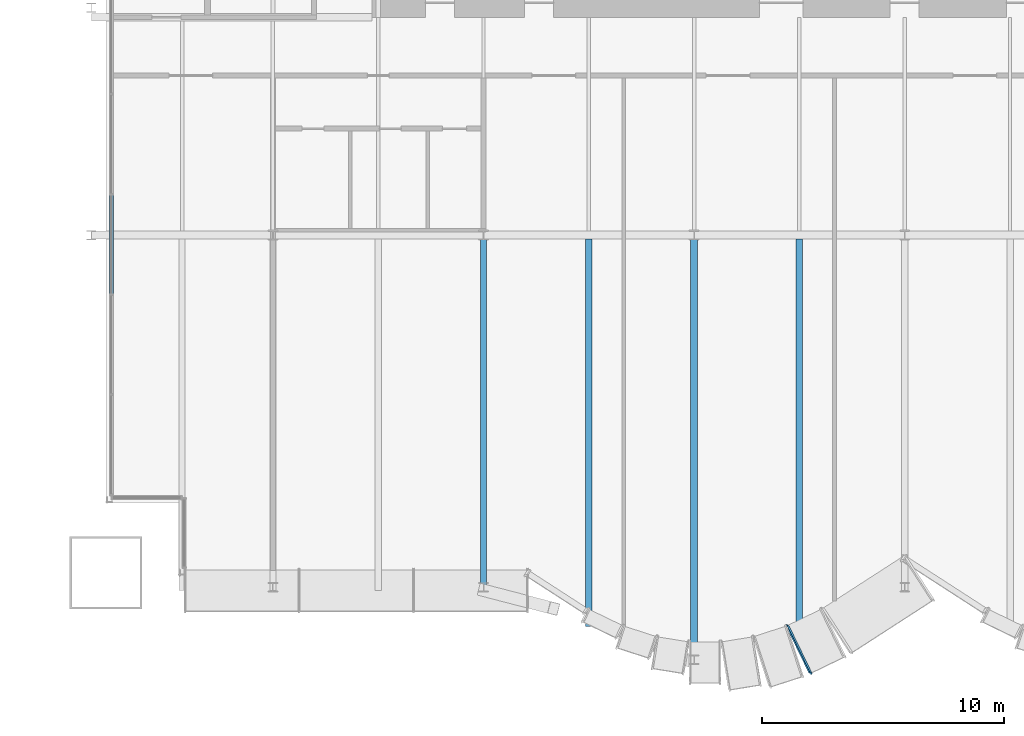
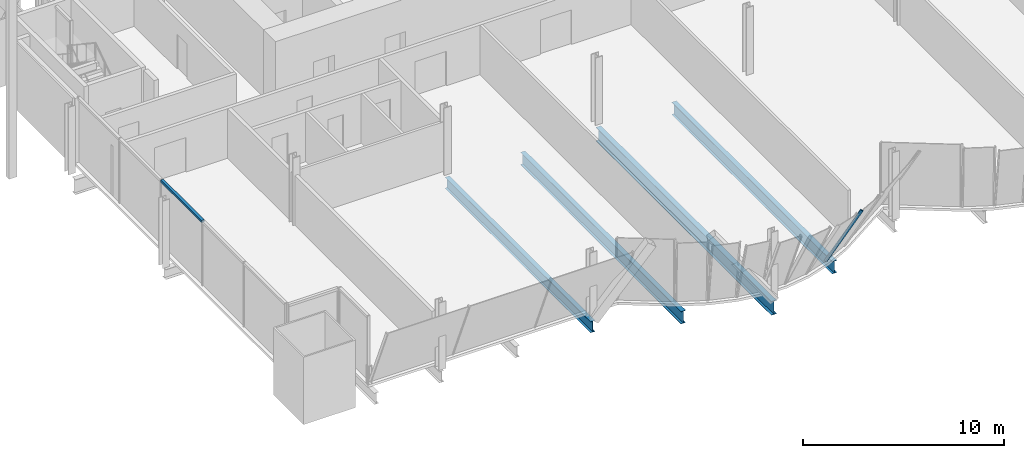
# One storey, part 5 of 22: 4 beams, 2 members, 2 elements without a shape of their own.
"""IFC4 building model written with IfcOpenShell, lengths in metres."""

from ifc_helpers import new_model, si_unit, direction, frame, origin, origin_2d, place, context, subcontext, project, spatial, rectangle, i_section, extrude, material, material_profile, profile_set, type_object, element, aggregate, save


model = new_model("IFC4")

# Units and contexts
model_context = context("Model", 3, precision=1e-05, world=origin(), true_north=direction((0.0, 1.0)))
body_context = subcontext(model_context, "Body", "Model", "MODEL_VIEW")
ifc_project = project(units=[si_unit("LENGTHUNIT", "METRE"), si_unit("AREAUNIT", "SQUARE_METRE"), si_unit("VOLUMEUNIT", "CUBIC_METRE"), si_unit("PLANEANGLEUNIT", "RADIAN"), si_unit("MASSUNIT", "GRAM", prefix="KILO")], contexts=[model_context])

# Site, building, storey
site_placement = place(None, origin())
site = spatial("IfcSite", under=ifc_project, at=site_placement, CompositionType="ELEMENT")
building_placement = place(site_placement, origin())
building = spatial("IfcBuilding", under=site, at=building_placement, Name="Bicima Exchange Tower", CompositionType="ELEMENT")
storey_placement = place(building_placement, frame((0.0, 0.0, 89.89990234375)))
storey = spatial("IfcBuildingStorey", under=building, at=storey_placement, Name="L18", CompositionType="ELEMENT", Elevation=89.89990234375)

# Curtain wall, member
ifc_material_1 = material(Name="Anodised bronze aluminium", Category="aluminium")
curtain_wall_type_1 = type_object("IfcCurtainWallType", Name="End face glass wall", PredefinedType="NOTDEFINED", material=ifc_material_1)
curtain_wall_1_placement = place(storey_placement, origin())
curtain_wall_1 = element("IfcCurtainWall", 1, at=curtain_wall_1_placement, inside=storey, type_object=curtain_wall_type_1, Name="End face glass wall L18 run 6", PredefinedType="NOTDEFINED")
ifc_material_profile_1 = material_profile(ifc_material_1, rectangle(XDim=0.159912109375, YDim=0.139892578125, at=origin_2d()))
ifc_profile_set_1 = profile_set([ifc_material_profile_1], Name="Anodised bronze aluminium")
member_type_1 = type_object("IfcMemberType", Name="End face glass wall transom 140 x 160", PredefinedType="USERDEFINED", material=ifc_profile_set_1)
member_1_placement = place(storey_placement, frame((-32.77001953125, -20.3408203125, 3.880126953125), z_axis=(0.0, -1.0, 0.0), x_axis=(1.0, 0.0, 0.0)))
member_1 = element("IfcMember", 2, at=member_1_placement, type_object=member_type_1, Name="End face glass wall transom 3.1", ObjectType="TRANSOM", PredefinedType="USERDEFINED", context=body_context, shape_type="SweptSolid", body=[
    extrude(rectangle(XDim=0.159912109375, YDim=0.139892578125, at=origin_2d()), origin(), (0.0, 0.0, 1.0), 4.080322265625),
])
aggregate(curtain_wall_1, [member_1])

# Beams
ifc_material_2 = material(Name="Steel ASTM A992 Gr 50", Category="steel")
ifc_material_profile_2 = material_profile(ifc_material_2, i_section(OverallWidth=0.25390625, OverallDepth=0.67822265625, WebThickness=0.01171875, FlangeThickness=0.016357421875, at=origin_2d()))
ifc_profile_set_2 = profile_set([ifc_material_profile_2], Name="Steel ASTM A992 Gr 50")
beam_type_1 = type_object("IfcBeamType", Name="Floor beam W27x84", PredefinedType="JOIST", material=ifc_profile_set_2)
beam_1_placement = place(storey_placement, frame((-17.39990234375, -22.16259765625, -0.489013671875), z_axis=(0.0, -1.0, 0.0), x_axis=(1.0, 0.0, 0.0)))
element("IfcBeam", 3, at=beam_1_placement, inside=storey, type_object=beam_type_1, Name="Floor beam", PredefinedType="JOIST", context=body_context, shape_type="SweptSolid", body=[
    extrude(i_section(OverallWidth=0.25390625, OverallDepth=0.67822265625, WebThickness=0.01171875, FlangeThickness=0.016357421875, at=origin_2d()), origin(), (0.0, 0.0, 1.0), 14.509521484375),
])
ifc_material_profile_3 = material_profile(ifc_material_2, i_section(OverallWidth=0.2666015625, OverallDepth=0.75439453125, WebThickness=0.01318359375, FlangeThickness=0.01708984375, at=origin_2d()))
ifc_profile_set_3 = profile_set([ifc_material_profile_3], Name="Steel ASTM A992 Gr 50")
beam_type_2 = type_object("IfcBeamType", Name="Floor beam W30x99", PredefinedType="JOIST", material=ifc_profile_set_3)
for number, where, z_axis, x_axis, name in (
    (4, (-13.050048828125, -22.16259765625, -0.527099609375), (0.0, -1.0, 0.0), (1.0, 0.0, 0.0), "Floor beam"),
    (5, (-4.35009765625, -22.16259765625, -0.527099609375), (0.0, -1.0, 0.0), (1.0, 0.0, 0.0), "Floor beam"),
):
    element("IfcBeam", number, at=place(storey_placement, frame(where, z_axis=z_axis, x_axis=x_axis)), inside=storey, type_object=beam_type_2, Name=name, PredefinedType="JOIST", context=body_context, shape_type="SweptSolid", body=[
        extrude(i_section(OverallWidth=0.2666015625, OverallDepth=0.75439453125, WebThickness=0.01318359375, FlangeThickness=0.01708984375, at=origin_2d()), origin(), (0.0, 0.0, 1.0), 16.0048828125),
    ])
ifc_material_profile_4 = material_profile(ifc_material_2, i_section(OverallWidth=0.2919921875, OverallDepth=0.835693359375, WebThickness=0.013916015625, FlangeThickness=0.018798828125, at=origin_2d()))
ifc_profile_set_4 = profile_set([ifc_material_profile_4], Name="Steel ASTM A992 Gr 50")
beam_type_3 = type_object("IfcBeamType", Name="Floor beam W33x118", PredefinedType="JOIST", material=ifc_profile_set_4)
beam_2_placement = place(storey_placement, frame((-8.699951171875, -22.16259765625, -0.567626953125), z_axis=(0.0, -1.0, 0.0), x_axis=(1.0, 0.0, 0.0)))
element("IfcBeam", 6, at=beam_2_placement, inside=storey, type_object=beam_type_3, Name="Floor beam", PredefinedType="JOIST", context=body_context, shape_type="SweptSolid", body=[
    extrude(i_section(OverallWidth=0.2919921875, OverallDepth=0.835693359375, WebThickness=0.013916015625, FlangeThickness=0.018798828125, at=origin_2d()), origin(), (0.0, 0.0, 1.0), 17.50048828125),
])

# Curtain wall, member
curtain_wall_type_2 = type_object("IfcCurtainWallType", Name="Front glass wall", PredefinedType="NOTDEFINED", material=ifc_material_1)
curtain_wall_2_placement = place(storey_placement, origin())
curtain_wall_2 = element("IfcCurtainWall", 7, at=curtain_wall_2_placement, inside=storey, type_object=curtain_wall_type_2, Name="Canted glass wall L18 43.1", PredefinedType="NOTDEFINED")
ifc_material_profile_5 = material_profile(ifc_material_1, rectangle(XDim=0.159912109375, YDim=0.06005859375, at=origin_2d()))
ifc_profile_set_5 = profile_set([ifc_material_profile_5], Name="Anodised bronze aluminium")
member_type_2 = type_object("IfcMemberType", Name="Front glass wall mullion 60 x 160", PredefinedType="MULLION", material=ifc_profile_set_5)
member_2_placement = place(storey_placement, frame((-4.8466796875, -38.128662109375, 0.0), z_axis=(0.211468405272, -0.436234670385, 0.874631594402), x_axis=(-0.735862958837, 0.517894230961, 0.436223877554)))
member_2 = element("IfcMember", 8, at=member_2_placement, type_object=member_type_2, Name="Canted glass mullion 1", PredefinedType="MULLION", context=body_context, shape_type="SweptSolid", body=[
    extrude(rectangle(XDim=0.159912109375, YDim=0.06005859375, at=origin_2d()), origin(), (0.0, 0.0, 1.0), 4.516357421875),
])
aggregate(curtain_wall_2, [member_2])

save(model, "model.ifc")
